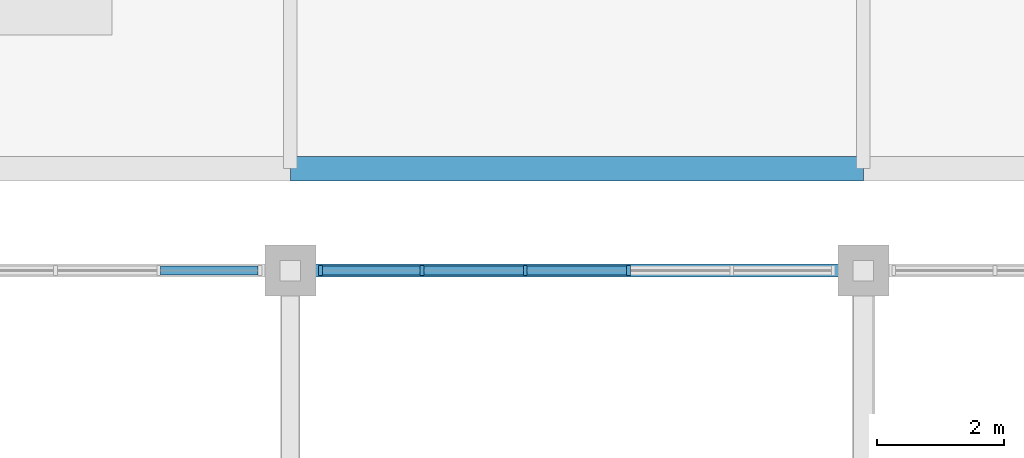
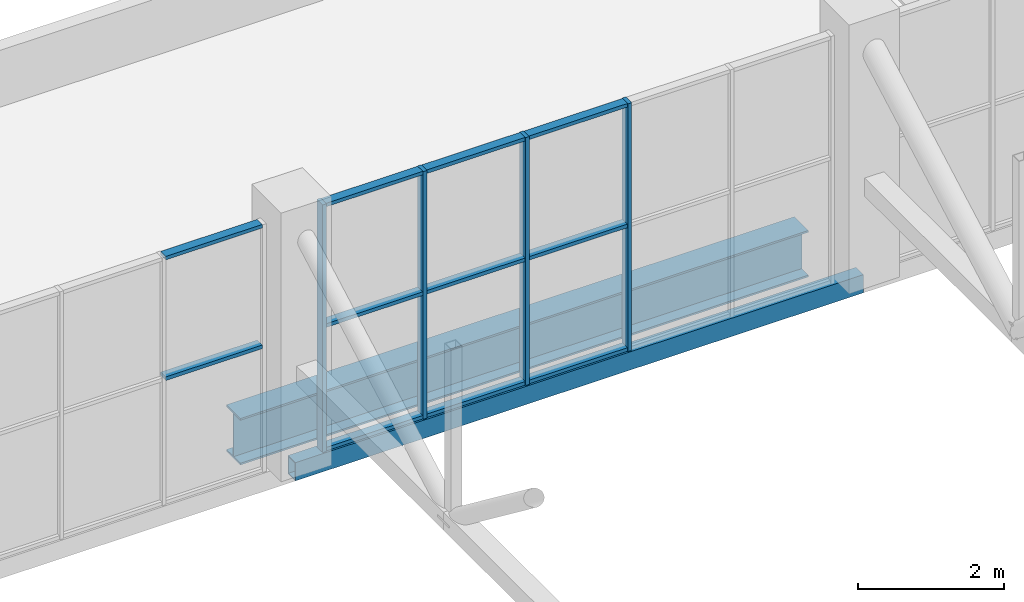
# One storey, part 22 of 103: 15 members, 2 beams, 2 elements without a shape of their own.
"""IFC4 building model written with IfcOpenShell, lengths in metres."""

from ifc_helpers import new_model, si_unit, direction, frame, origin, origin_2d, place, context, subcontext, project, spatial, rectangle, hollow_rectangle, i_section, extrude, material, layer, layer_set, material_profile, profile_set, type_object, element, aggregate, save


model = new_model("IFC4")

# Units and contexts
model_context = context("Model", 3, precision=1e-05, world=origin(), true_north=direction((0.0, 1.0)))
body_context = subcontext(model_context, "Body", "Model", "MODEL_VIEW")
ifc_project = project(units=[si_unit("LENGTHUNIT", "METRE"), si_unit("AREAUNIT", "SQUARE_METRE"), si_unit("VOLUMEUNIT", "CUBIC_METRE"), si_unit("PLANEANGLEUNIT", "RADIAN"), si_unit("MASSUNIT", "GRAM", prefix="KILO")], contexts=[model_context])

# Site, building, storey
site_placement = place(None, origin())
site = spatial("IfcSite", under=ifc_project, at=site_placement, CompositionType="ELEMENT")
building_placement = place(site_placement, origin())
building = spatial("IfcBuilding", under=site, at=building_placement, Name="Cazmaro Siding Exhibition Halls", CompositionType="ELEMENT")
storey_placement = place(building_placement, frame((0.0, 0.0, 16.5)))
storey = spatial("IfcBuildingStorey", under=building, at=storey_placement, Name="L03", CompositionType="ELEMENT", Elevation=16.5)

# Curtain wall, members
ifc_material_1 = material(Name="Anodized Bronze Aluminum and Solar-Control Low-E Glazing", Category="aluminium")
ifc_layer = layer(ifc_material_1, 0.159912109375)
ifc_layer_set = layer_set([ifc_layer], Name="Anodized Bronze Aluminum and Solar-Control Low-E Glazing")
curtain_wall_type = type_object("IfcCurtainWallType", Name="CWS-04", PredefinedType="USERDEFINED", material=ifc_layer_set)
curtain_wall_1_placement = place(storey_placement, origin())
curtain_wall_1 = element("IfcCurtainWall", 1, at=curtain_wall_1_placement, inside=storey, type_object=curtain_wall_type, Name="Clerestory Curtain Wall CWS-04 CW-085", ObjectType="CLERESTORY CURTAIN WALL", PredefinedType="USERDEFINED")
ifc_material_2 = material(Name="Anodized Bronze Extruded Aluminum", Category="aluminium")
ifc_material_profile_1 = material_profile(ifc_material_2, rectangle(XDim=0.159912109375, YDim=0.06005859375, at=origin_2d()), Name="CWM-04")
ifc_profile_set_1 = profile_set([ifc_material_profile_1], Name="Anodized Bronze Extruded Aluminum")
member_type_1 = type_object("IfcMemberType", Name="CWM-04", PredefinedType="MULLION", material=ifc_profile_set_1)
member_1_placement = place(storey_placement, frame((95.31103515625, 53.60009765625, 0.0), z_axis=(0.0, 0.0, 1.0), x_axis=(0.0, -1.0, 0.0)))
member_1 = element("IfcMember", 2, at=member_1_placement, type_object=member_type_1, Name="CWS-04 mullion 3", PredefinedType="MULLION", context=body_context, shape_type="SweptSolid", body=[
    extrude(rectangle(XDim=0.159912109375, YDim=0.06005859375, at=origin_2d()), origin(), (0.0, 0.0, 1.0), 4.14990234375),
])
member_2_placement = place(storey_placement, frame((93.68896484375, 53.60009765625, 0.0), z_axis=(0.0, 0.0, 1.0), x_axis=(0.0, -1.0, 0.0)))
member_2 = element("IfcMember", 3, at=member_2_placement, type_object=member_type_1, Name="CWS-04 mullion 4", PredefinedType="MULLION", context=body_context, shape_type="SweptSolid", body=[
    extrude(rectangle(XDim=0.159912109375, YDim=0.06005859375, at=origin_2d()), origin(), (0.0, 0.0, 1.0), 4.14990234375),
])
member_3_placement = place(storey_placement, frame((92.06689453125, 53.60009765625, 0.0), z_axis=(0.0, 0.0, 1.0), x_axis=(0.0, -1.0, 0.0)))
member_3 = element("IfcMember", 4, at=member_3_placement, type_object=member_type_1, Name="CWS-04 mullion 5", PredefinedType="MULLION", context=body_context, shape_type="SweptSolid", body=[
    extrude(rectangle(XDim=0.159912109375, YDim=0.06005859375, at=origin_2d()), origin(), (0.0, 0.0, 1.0), 4.14990234375),
])
member_4_placement = place(storey_placement, frame((90.47509765625, 53.60009765625, 0.0), z_axis=(0.0, 0.0, 1.0), x_axis=(0.0, -1.0, 0.0)))
member_4 = element("IfcMember", 5, at=member_4_placement, type_object=member_type_1, Name="CWS-04 mullion 6", PredefinedType="MULLION", context=body_context, shape_type="SweptSolid", body=[
    extrude(rectangle(XDim=0.159912109375, YDim=0.06005859375, at=origin_2d()), origin(), (0.0, 0.0, 1.0), 4.14990234375),
])

curtain_wall_2_placement = place(storey_placement, origin())
curtain_wall_2 = element("IfcCurtainWall", 6, at=curtain_wall_2_placement, inside=storey, type_object=curtain_wall_type, Name="Clerestory Curtain Wall CWS-04 CW-083", ObjectType="CLERESTORY CURTAIN WALL", PredefinedType="USERDEFINED")
ifc_material_3 = material(Name="Anodized Bronze Extruded Aluminum", Category="aluminium")
ifc_material_profile_2 = material_profile(ifc_material_3, rectangle(XDim=0.139892578125, YDim=0.06005859375, at=origin_2d()), Name="CWT-04")
ifc_profile_set_2 = profile_set([ifc_material_profile_2], Name="Anodized Bronze Extruded Aluminum")
member_type_2 = type_object("IfcMemberType", Name="CWT-04", PredefinedType="MULLION", material=ifc_profile_set_2)
member_5_placement = place(storey_placement, frame((89.4951171875, 53.60009765625, 2.10009765625), z_axis=(-1.0, 0.0, 0.0), x_axis=(0.0, -1.0, 0.0)))
member_5 = element("IfcMember", 7, at=member_5_placement, type_object=member_type_2, Name="CWS-04 transom 1.2", ObjectType="TRANSOM", PredefinedType="USERDEFINED", context=body_context, shape_type="SweptSolid", body=[
    extrude(rectangle(XDim=0.139892578125, YDim=0.06005859375, at=origin_2d()), origin(), (0.0, 0.0, 1.0), 1.5322265625),
])
member_6_placement = place(storey_placement, frame((89.4951171875, 53.60009765625, 4.1201171875), z_axis=(-1.0, 0.0, 0.0), x_axis=(0.0, -1.0, 0.0)))
member_6 = element("IfcMember", 8, at=member_6_placement, type_object=member_type_2, Name="CWS-04 transom 1.3", ObjectType="TRANSOM", PredefinedType="USERDEFINED", context=body_context, shape_type="SweptSolid", body=[
    extrude(rectangle(XDim=0.139892578125, YDim=0.06005859375, at=origin_2d()), origin(), (0.0, 0.0, 1.0), 1.5322265625),
])
aggregate(curtain_wall_2, [member_5, member_6])

# Member
member_7_placement = place(storey_placement, frame((95.281005859375, 53.60009765625, 0.030029296875), z_axis=(-1.0, 0.0, 0.0), x_axis=(0.0, -1.0, 0.0)))
member_7 = element("IfcMember", 9, at=member_7_placement, type_object=member_type_2, Name="CWS-04 transom 3.1", ObjectType="TRANSOM", PredefinedType="USERDEFINED", context=body_context, shape_type="SweptSolid", body=[
    extrude(rectangle(XDim=0.139892578125, YDim=0.06005859375, at=origin_2d()), origin(), (0.0, 0.0, 1.0), 1.56201171875),
])

member_8_placement = place(storey_placement, frame((95.281005859375, 53.60009765625, 2.10009765625), z_axis=(-1.0, 0.0, 0.0), x_axis=(0.0, -1.0, 0.0)))
member_8 = element("IfcMember", 10, at=member_8_placement, type_object=member_type_2, Name="CWS-04 transom 3.2", ObjectType="TRANSOM", PredefinedType="USERDEFINED", context=body_context, shape_type="SweptSolid", body=[
    extrude(rectangle(XDim=0.139892578125, YDim=0.06005859375, at=origin_2d()), origin(), (0.0, 0.0, 1.0), 1.56201171875),
])

member_9_placement = place(storey_placement, frame((95.281005859375, 53.60009765625, 4.1201171875), z_axis=(-1.0, 0.0, 0.0), x_axis=(0.0, -1.0, 0.0)))
member_9 = element("IfcMember", 11, at=member_9_placement, type_object=member_type_2, Name="CWS-04 transom 3.3", ObjectType="TRANSOM", PredefinedType="USERDEFINED", context=body_context, shape_type="SweptSolid", body=[
    extrude(rectangle(XDim=0.139892578125, YDim=0.06005859375, at=origin_2d()), origin(), (0.0, 0.0, 1.0), 1.56201171875),
])

member_10_placement = place(storey_placement, frame((93.658935546875, 53.60009765625, 0.030029296875), z_axis=(-1.0, 0.0, 0.0), x_axis=(0.0, -1.0, 0.0)))
member_10 = element("IfcMember", 12, at=member_10_placement, type_object=member_type_2, Name="CWS-04 transom 4.1", ObjectType="TRANSOM", PredefinedType="USERDEFINED", context=body_context, shape_type="SweptSolid", body=[
    extrude(rectangle(XDim=0.139892578125, YDim=0.06005859375, at=origin_2d()), origin(), (0.0, 0.0, 1.0), 1.56201171875),
])

member_11_placement = place(storey_placement, frame((93.658935546875, 53.60009765625, 2.10009765625), z_axis=(-1.0, 0.0, 0.0), x_axis=(0.0, -1.0, 0.0)))
member_11 = element("IfcMember", 13, at=member_11_placement, type_object=member_type_2, Name="CWS-04 transom 4.2", ObjectType="TRANSOM", PredefinedType="USERDEFINED", context=body_context, shape_type="SweptSolid", body=[
    extrude(rectangle(XDim=0.139892578125, YDim=0.06005859375, at=origin_2d()), origin(), (0.0, 0.0, 1.0), 1.56201171875),
])

member_12_placement = place(storey_placement, frame((93.658935546875, 53.60009765625, 4.1201171875), z_axis=(-1.0, 0.0, 0.0), x_axis=(0.0, -1.0, 0.0)))
member_12 = element("IfcMember", 14, at=member_12_placement, type_object=member_type_2, Name="CWS-04 transom 4.3", ObjectType="TRANSOM", PredefinedType="USERDEFINED", context=body_context, shape_type="SweptSolid", body=[
    extrude(rectangle(XDim=0.139892578125, YDim=0.06005859375, at=origin_2d()), origin(), (0.0, 0.0, 1.0), 1.56201171875),
])

member_13_placement = place(storey_placement, frame((92.037109375, 53.60009765625, 0.030029296875), z_axis=(-1.0, 0.0, 0.0), x_axis=(0.0, -1.0, 0.0)))
member_13 = element("IfcMember", 15, at=member_13_placement, type_object=member_type_2, Name="CWS-04 transom 5.1", ObjectType="TRANSOM", PredefinedType="USERDEFINED", context=body_context, shape_type="SweptSolid", body=[
    extrude(rectangle(XDim=0.139892578125, YDim=0.06005859375, at=origin_2d()), origin(), (0.0, 0.0, 1.0), 1.5322265625),
])

member_14_placement = place(storey_placement, frame((92.037109375, 53.60009765625, 2.10009765625), z_axis=(-1.0, 0.0, 0.0), x_axis=(0.0, -1.0, 0.0)))
member_14 = element("IfcMember", 16, at=member_14_placement, type_object=member_type_2, Name="CWS-04 transom 5.2", ObjectType="TRANSOM", PredefinedType="USERDEFINED", context=body_context, shape_type="SweptSolid", body=[
    extrude(rectangle(XDim=0.139892578125, YDim=0.06005859375, at=origin_2d()), origin(), (0.0, 0.0, 1.0), 1.5322265625),
])

member_15_placement = place(storey_placement, frame((92.037109375, 53.60009765625, 4.1201171875), z_axis=(-1.0, 0.0, 0.0), x_axis=(0.0, -1.0, 0.0)))
member_15 = element("IfcMember", 17, at=member_15_placement, type_object=member_type_2, Name="CWS-04 transom 5.3", ObjectType="TRANSOM", PredefinedType="USERDEFINED", context=body_context, shape_type="SweptSolid", body=[
    extrude(rectangle(XDim=0.139892578125, YDim=0.06005859375, at=origin_2d()), origin(), (0.0, 0.0, 1.0), 1.5322265625),
])

aggregate(curtain_wall_1, [member_1, member_2, member_3, member_4, member_7, member_8, member_9, member_10, member_11, member_12, member_13, member_14, member_15])

# Beams
ifc_material_4 = material(Name="Steel ASTM A992 Grade 50", Category="steel")
ifc_material_profile_3 = material_profile(ifc_material_4, i_section(OverallWidth=0.381103515625, OverallDepth=0.779052734375, WebThickness=0.01806640625, FlangeThickness=0.030029296875, at=origin_2d()), Name="W30X191")
ifc_profile_set_3 = profile_set([ifc_material_profile_3], Name="Steel ASTM A992 Grade 50")
beam_type_1 = type_object("IfcBeamType", Name="G-04", PredefinedType="USERDEFINED", material=ifc_profile_set_3)
beam_1_placement = place(storey_placement, frame((90.0, 55.199951171875, -0.56494140625), z_axis=(1.0, 0.0, 0.0), x_axis=(0.0, 1.0, 0.0)))
element("IfcBeam", 18, at=beam_1_placement, inside=storey, type_object=beam_type_1, Name="Beam G-04 BM-1623", ObjectType="GIRDER", PredefinedType="USERDEFINED", context=body_context, shape_type="SweptSolid", body=[
    extrude(i_section(OverallWidth=0.381103515625, OverallDepth=0.779052734375, WebThickness=0.01806640625, FlangeThickness=0.030029296875, at=origin_2d()), origin(), (0.0, 0.0, 1.0), 9.0),
])
ifc_material_5 = material(Name="Steel ASTM A500 Grade C", Category="steel")
ifc_material_profile_4 = material_profile(ifc_material_5, hollow_rectangle(XDim=0.202880859375, YDim=0.304931640625, WallThickness=0.011962890625, at=origin_2d()), Name="HSS12X8X1/2")
ifc_profile_set_4 = profile_set([ifc_material_profile_4], Name="Steel ASTM A500 Grade C")
beam_type_2 = type_object("IfcBeamType", Name="SP-01", PredefinedType="SPANDREL", material=ifc_profile_set_4)
beam_2_placement = place(storey_placement, frame((90.0, 53.60009765625, -0.152099609375), z_axis=(1.0, 0.0, 0.0), x_axis=(0.0, 1.0, 0.0)))
element("IfcBeam", 19, at=beam_2_placement, inside=storey, type_object=beam_type_2, Name="Beam SP-01 BM-1493", PredefinedType="SPANDREL", context=body_context, shape_type="SweptSolid", body=[
    extrude(hollow_rectangle(XDim=0.202880859375, YDim=0.304931640625, WallThickness=0.011962890625, at=origin_2d()), origin(), (0.0, 0.0, 1.0), 9.0),
])

save(model, "model.ifc")
